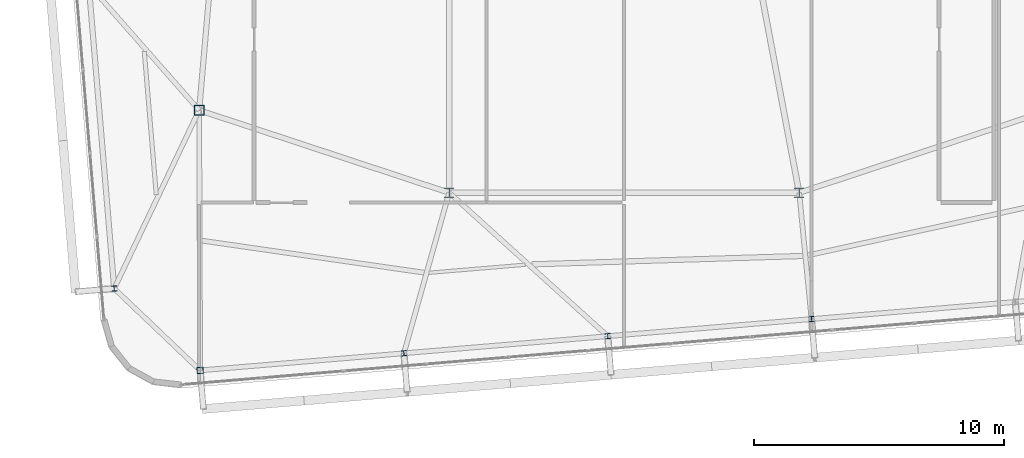
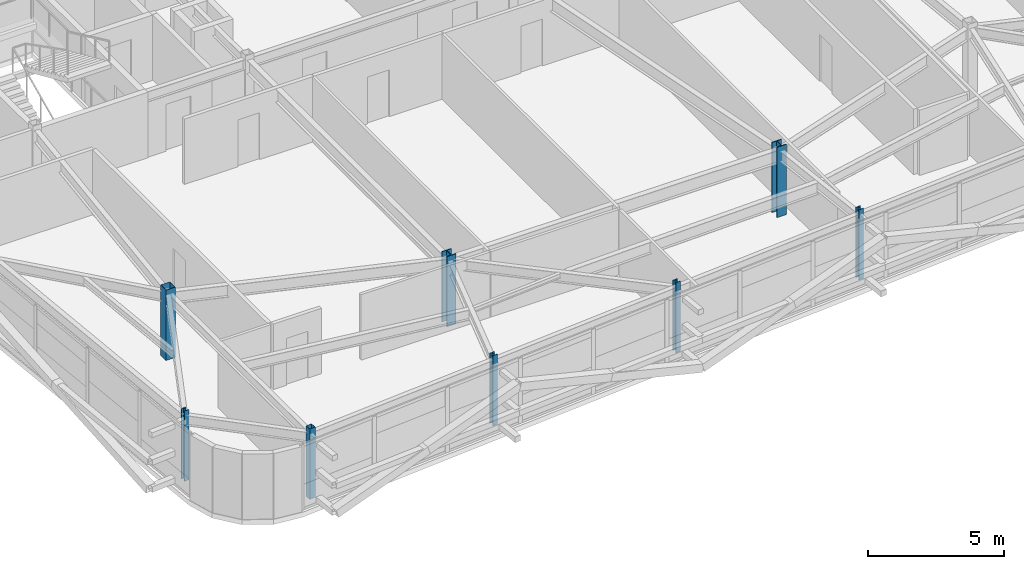
# One storey, part 1 of 46: 8 columns.
"""IFC4 building model written with IfcOpenShell, lengths in metres."""

from ifc_helpers import new_model, si_unit, direction, frame, origin, origin_2d, place, context, subcontext, project, spatial, hollow_rectangle, i_section, extrude, source, transform, mapped, material, material_profile, profile_set, type_object, element, save


model = new_model("IFC4")

# Units and contexts
model_context = context("Model", 3, precision=1e-05, world=origin(), true_north=direction((0.0, 1.0)))
body_context = subcontext(model_context, "Body", "Model", "MODEL_VIEW")
ifc_project = project(units=[si_unit("LENGTHUNIT", "METRE"), si_unit("AREAUNIT", "SQUARE_METRE"), si_unit("VOLUMEUNIT", "CUBIC_METRE"), si_unit("PLANEANGLEUNIT", "RADIAN"), si_unit("MASSUNIT", "GRAM", prefix="KILO")], contexts=[model_context])

# Site, building, storey
site_placement = place(None, origin())
site = spatial("IfcSite", under=ifc_project, at=site_placement, CompositionType="ELEMENT")
building_placement = place(site_placement, origin())
building = spatial("IfcBuilding", under=site, at=building_placement, Name="Taldren Reach Tower", CompositionType="ELEMENT")
storey_placement = place(building_placement, frame((0.0, 0.0, 185.14990234375)))
storey = spatial("IfcBuildingStorey", under=building, at=storey_placement, Name="L56", CompositionType="ELEMENT", Elevation=185.14990234375)

# Columns
ifc_material_1 = material(Name="Steel Gr 350 (350PLUS)", Category="steel")
ifc_material_profile_1 = material_profile(ifc_material_1, i_section(OverallWidth=0.39990234375, OverallDepth=0.39599609375, WebThickness=0.02197265625, FlangeThickness=0.033935546875, at=origin_2d()), Name="400WC270")
ifc_profile_set_1 = profile_set([ifc_material_profile_1], Name="Steel Gr 350 (350PLUS)")
column_type_1 = type_object("IfcColumnType", Name="COL-WC400", PredefinedType="COLUMN", material=ifc_profile_set_1)
shared_shape_1 = source(origin(), body_context, "Body", "SweptSolid", [
    extrude(i_section(OverallWidth=0.39990234375, OverallDepth=0.39599609375, WebThickness=0.02197265625, FlangeThickness=0.033935546875, at=origin_2d()), origin(), (0.0, 0.0, 1.0), 3.150146484375),
])
for number, where, z_axis, x_axis, name in (
    (1, (28.0, 9.199951171875, 0.0), (0.0, 0.0, 1.0), (1.0, 0.0, 0.0), "Mega column MC-PJW L56"),
    (2, (42.0, 9.199951171875, 0.0), (0.0, 0.0, 1.0), (1.0, 0.0, 0.0), "Mega column MC-PJE L56"),
):
    element("IfcColumn", number, at=place(storey_placement, frame(where, z_axis=z_axis, x_axis=x_axis)), inside=storey, type_object=column_type_1, Name=name, PredefinedType="COLUMN", context=body_context, shape_type="MappedRepresentation", body=[
        mapped(shared_shape_1, transform((0.0, 0.0, 0.0), scale=1.0)),
    ])
ifc_material_2 = material(Name="Steel Gr 450 (C450L0)", Category="steel")
ifc_material_profile_2 = material_profile(ifc_material_2, hollow_rectangle(XDim=0.39990234375, YDim=0.39990234375, WallThickness=0.01611328125, at=origin_2d()), Name="400x400x16.0SHS")
ifc_profile_set_2 = profile_set([ifc_material_profile_2], Name="Steel Gr 450 (C450L0)")
column_type_2 = type_object("IfcColumnType", Name="COL-SHS400", PredefinedType="COLUMN", material=ifc_profile_set_2)
shared_shape_2 = source(origin(), body_context, "Body", "SweptSolid", [
    extrude(hollow_rectangle(XDim=0.39990234375, YDim=0.39990234375, WallThickness=0.01611328125, at=origin_2d()), origin(), (0.0, 0.0, 1.0), 3.150146484375),
])
column_1_placement = place(storey_placement, frame((18.0, 12.5, 0.0), z_axis=(0.0, 0.0, 1.0), x_axis=(1.0, 0.0, 0.0)))
element("IfcColumn", 3, at=column_1_placement, inside=storey, type_object=column_type_2, Name="Mega column MC-SW L56", PredefinedType="COLUMN", context=body_context, shape_type="MappedRepresentation", body=[
    mapped(shared_shape_2, transform((0.0, 0.0, 0.0), scale=1.0)),
])
ifc_material_3 = material(Name="Steel Gr 350 (C350L0)", Category="steel")
ifc_material_profile_3 = material_profile(ifc_material_3, hollow_rectangle(XDim=0.25, YDim=0.25, WallThickness=0.010009765625, at=origin_2d()), Name="250x250x10.0SHS")
ifc_profile_set_3 = profile_set([ifc_material_profile_3], Name="Steel Gr 350 (C350L0)")
column_type_3 = type_object("IfcColumnType", Name="COL-SHS250", PredefinedType="COLUMN", material=ifc_profile_set_3)
shared_shape_3 = source(origin(), body_context, "Body", "SweptSolid", [
    extrude(hollow_rectangle(XDim=0.25, YDim=0.25, WallThickness=0.010009765625, at=origin_2d()), origin(), (0.0, 0.0, 1.0), 3.150146484375),
])
column_2_placement = place(storey_placement, frame((18.03955078125, 2.093994140625, 0.0), z_axis=(0.0, 0.0, 1.0), x_axis=(0.99649285925, 0.083677843332, 0.0)))
element("IfcColumn", 4, at=column_2_placement, inside=storey, type_object=column_type_3, Name="Block B4 perimeter column S1 L56", PredefinedType="COLUMN", context=body_context, shape_type="MappedRepresentation", body=[
    mapped(shared_shape_3, transform((0.0, 0.0, 0.0), scale=1.0)),
])
ifc_material_profile_4 = material_profile(ifc_material_1, i_section(OverallWidth=0.205078125, OverallDepth=0.2099609375, WebThickness=0.00927734375, FlangeThickness=0.01416015625, at=origin_2d()), Name="200UC59.5")
ifc_profile_set_4 = profile_set([ifc_material_profile_4], Name="Steel Gr 350 (350PLUS)")
column_type_4 = type_object("IfcColumnType", Name="COL-UC200", PredefinedType="COLUMN", material=ifc_profile_set_4)
shared_shape_4 = source(origin(), body_context, "Body", "SweptSolid", [
    extrude(i_section(OverallWidth=0.205078125, OverallDepth=0.2099609375, WebThickness=0.00927734375, FlangeThickness=0.01416015625, at=origin_2d()), origin(), (0.0, 0.0, 1.0), 3.150146484375),
])
for number, where, z_axis, x_axis, name in (
    (5, (26.19091796875, 2.778564453125, 0.0), (0.0, 0.0, 1.0), (0.99649285925, 0.083677843332, 0.0), "Block B4 perimeter column S2 L56"),
    (6, (34.34228515625, 3.462890625, 0.0), (0.0, 0.0, 1.0), (0.99649285925, 0.083677843332, 0.0), "Block B4 perimeter column S3 L56"),
    (7, (42.49365234375, 4.1474609375, 0.0), (0.0, 0.0, 1.0), (0.99649285925, 0.083677843332, 0.0), "Block B4 perimeter column S4 L56"),
    (8, (14.603759765625, 5.367919921875, 0.0), (0.0, 0.0, 1.0), (0.99649285925, 0.083677843332, 0.0), "Block B4 perimeter column W1 L56"),
):
    element("IfcColumn", number, at=place(storey_placement, frame(where, z_axis=z_axis, x_axis=x_axis)), inside=storey, type_object=column_type_4, Name=name, PredefinedType="COLUMN", context=body_context, shape_type="MappedRepresentation", body=[
        mapped(shared_shape_4, transform((0.0, 0.0, 0.0), scale=1.0)),
    ])

save(model, "model.ifc")
